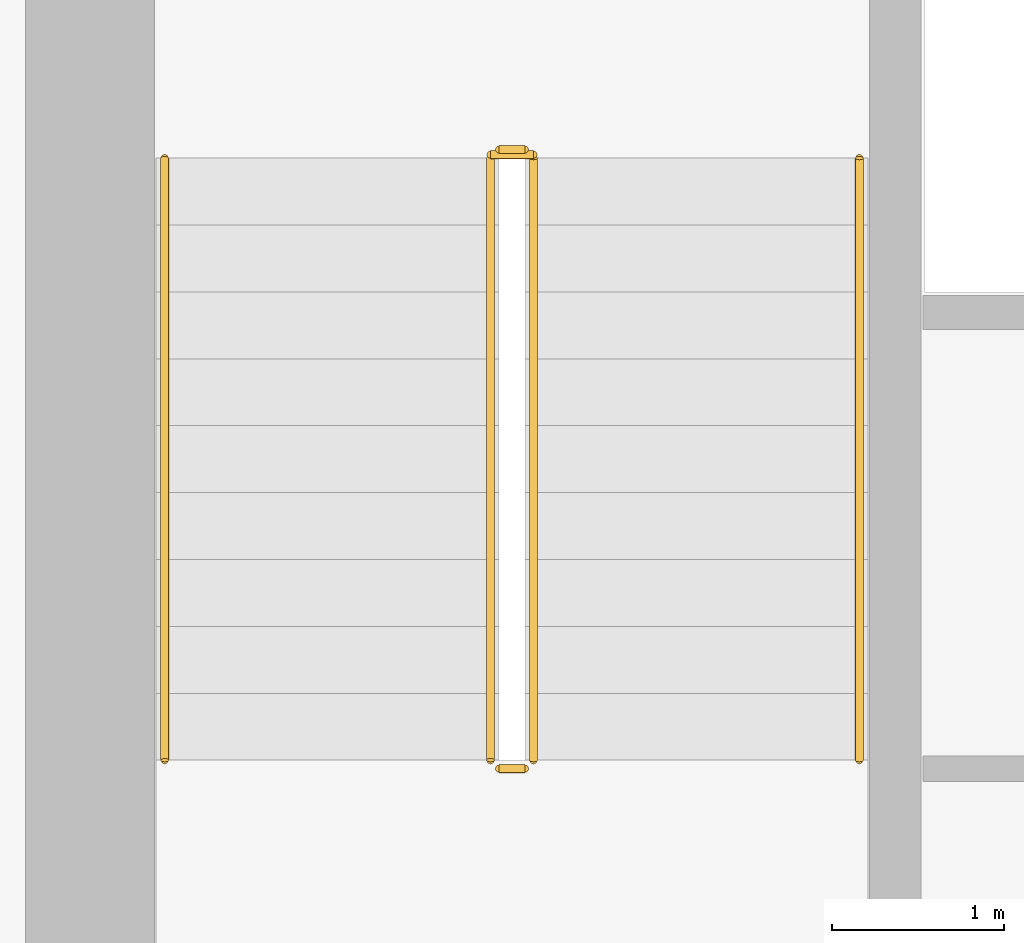
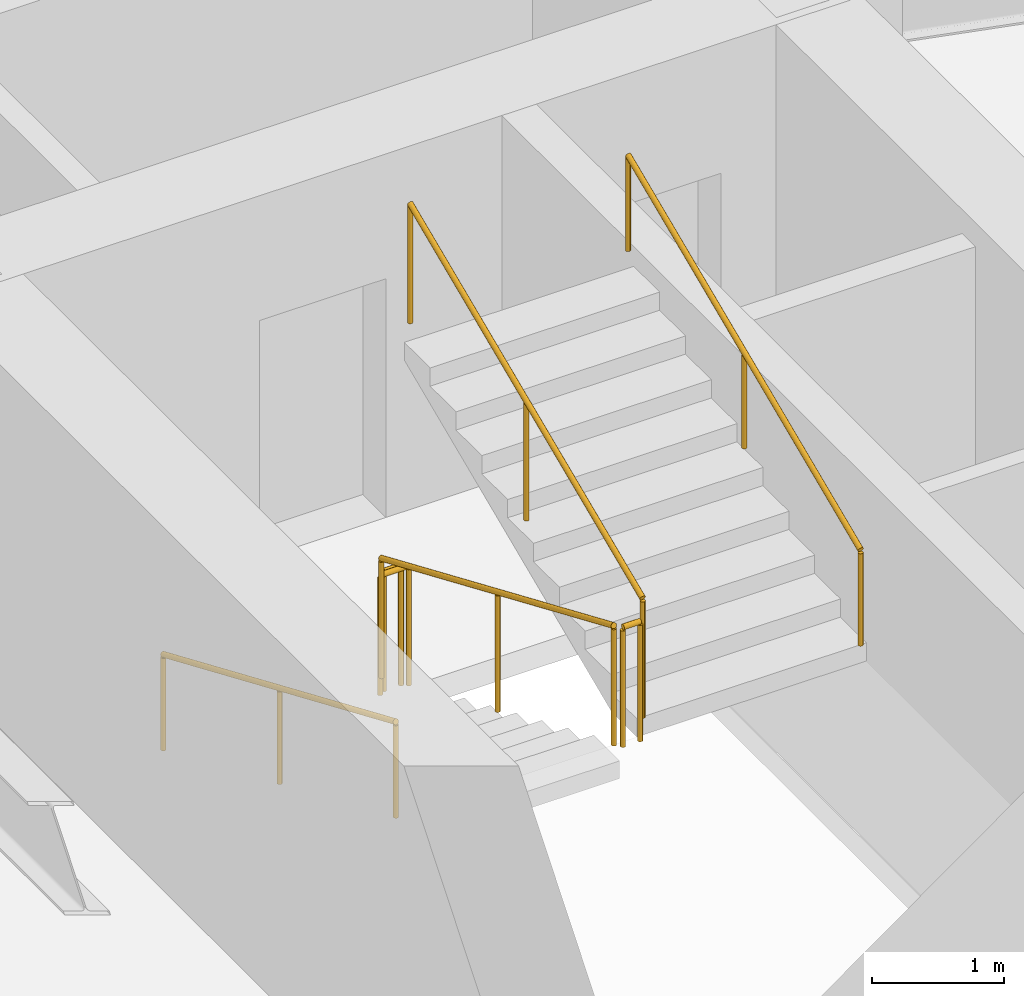
# One storey, part 30 of 33: 7 railings.
"""IFC4 building model written with IfcOpenShell, lengths in metres."""

from ifc_helpers import new_model, si_unit, direction, frame, origin, origin_2d, place, context, subcontext, project, spatial, circle, extrude, material, layer, layer_set, type_object, element, save


model = new_model("IFC4")

# Units and contexts
model_context = context("Model", 3, precision=1e-05, world=origin(), true_north=direction((0.0, 1.0)))
body_context = subcontext(model_context, "Body", "Model", "MODEL_VIEW")
ifc_project = project(units=[si_unit("LENGTHUNIT", "METRE"), si_unit("AREAUNIT", "SQUARE_METRE"), si_unit("VOLUMEUNIT", "CUBIC_METRE"), si_unit("PLANEANGLEUNIT", "RADIAN"), si_unit("MASSUNIT", "GRAM", prefix="KILO")], contexts=[model_context])

# Site, building, storey
site_placement = place(None, origin())
site = spatial("IfcSite", under=ifc_project, at=site_placement, CompositionType="ELEMENT")
building_placement = place(site_placement, origin())
building = spatial("IfcBuilding", under=site, at=building_placement, Name="Hatsunagi Terrace Concourse", CompositionType="ELEMENT")
storey_placement = place(building_placement, frame((0.0, 0.0, 43.300048828125)))
storey = spatial("IfcBuildingStorey", under=building, at=storey_placement, Name="L10", CompositionType="ELEMENT", Elevation=43.300048828125)

# Railings
ifc_material_1 = material(Name="Stainless steel", Category="steel")
ifc_layer_1 = layer(ifc_material_1, 0.044921875)
ifc_layer_set_1 = layer_set([ifc_layer_1], Name="StairPitchHandrail_Tower2000")
railing_type_1 = type_object("IfcRailingType", Name="StairPitchHandrail_Tower2000", PredefinedType="HANDRAIL", material=ifc_layer_set_1)
railing_1_placement = place(storey_placement, frame((36.550048828125, 32.659912109375, 0.16748046875)))
element("IfcRailing", 1, at=railing_1_placement, inside=storey, type_object=railing_type_1, Name="L10 ST-B stair handrail 1", PredefinedType="HANDRAIL", context=body_context, shape_type="SweptSolid", body=[
    extrude(circle(Radius=0.02392578125, at=origin_2d()), frame((0.0, 0.0, 0.8759765625), z_axis=(0.0, -0.918834009242, 0.394644223904), x_axis=(1.0, 0.0, 0.0)), (0.0, 0.0, 1.0), 3.820068359375),
    extrude(circle(Radius=0.02099609375, at=origin_2d()), origin(), (0.0, 0.0, 1.0), 0.851806640625),
    extrude(circle(Radius=0.02099609375, at=origin_2d()), frame((0.0, -1.7548828125, 0.75390625)), (0.0, 0.0, 1.0), 0.851806640625),
    extrude(circle(Radius=0.02099609375, at=origin_2d()), frame((0.0, -3.510009765625, 1.507568359375)), (0.0, 0.0, 1.0), 0.851806640625),
])
railing_2_placement = place(storey_placement, frame((40.60009765625, 29.14990234375, 1.842529296875)))
element("IfcRailing", 2, at=railing_2_placement, inside=storey, type_object=railing_type_1, Name="L10 ST-B stair handrail 2", PredefinedType="HANDRAIL", context=body_context, shape_type="SweptSolid", body=[
    extrude(circle(Radius=0.02392578125, at=origin_2d()), frame((0.0, 0.0, 0.8759765625), z_axis=(0.0, 0.918857182807, 0.394590265469), x_axis=(-1.0, 0.0, 0.0)), (0.0, 0.0, 1.0), 3.820068359375),
    extrude(circle(Radius=0.02099609375, at=origin_2d()), origin(), (0.0, 0.0, 1.0), 0.851806640625),
    extrude(circle(Radius=0.02099609375, at=origin_2d()), frame((0.0, 1.7548828125, 0.753662109375)), (0.0, 0.0, 1.0), 0.851806640625),
    extrude(circle(Radius=0.02099609375, at=origin_2d()), frame((0.0, 3.510009765625, 1.50732421875)), (0.0, 0.0, 1.0), 0.851806640625),
])
ifc_material_2 = material(Name="Stainless steel", Category="steel")
ifc_layer_2 = layer(ifc_material_2, 0.06005859375)
ifc_layer_set_2 = layer_set([ifc_layer_2], Name="StairWellGuard_Tower2000")
railing_type_2 = type_object("IfcRailingType", Name="StairWellGuard_Tower2000", PredefinedType="BALUSTRADE", material=ifc_layer_set_2)
railing_3_placement = place(storey_placement, frame((38.449951171875, 32.659912109375, 0.16748046875)))
element("IfcRailing", 3, at=railing_3_placement, inside=storey, type_object=railing_type_2, Name="L10 ST-B stair guard 1", PredefinedType="BALUSTRADE", context=body_context, shape_type="SweptSolid", body=[
    extrude(circle(Radius=0.02392578125, at=origin_2d()), frame((0.0, 0.0, 1.09619140625), z_axis=(0.0, -0.918834009242, 0.394644223904), x_axis=(1.0, 0.0, 0.0)), (0.0, 0.0, 1.0), 3.820068359375),
    extrude(circle(Radius=0.02099609375, at=origin_2d()), origin(), (0.0, 0.0, 1.0), 1.072021484375),
    extrude(circle(Radius=0.02099609375, at=origin_2d()), frame((0.0, -1.7548828125, 0.75390625)), (0.0, 0.0, 1.0), 1.072021484375),
    extrude(circle(Radius=0.02099609375, at=origin_2d()), frame((0.0, -3.510009765625, 1.507568359375)), (0.0, 0.0, 1.0), 1.072021484375),
])
railing_4_placement = place(storey_placement, frame((38.5, 29.10009765625, 1.675048828125)))
element("IfcRailing", 4, at=railing_4_placement, inside=storey, type_object=railing_type_2, Name="L10 ST-B stair guard 2", PredefinedType="BALUSTRADE", context=body_context, shape_type="SweptSolid", body=[
    extrude(circle(Radius=0.02392578125, at=origin_2d()), frame((0.0, 0.0, 1.09619140625), z_axis=(1.0, 0.0, 0.0), x_axis=(0.0, 1.0, 0.0)), (0.0, 0.0, 1.0), 0.14990234375),
    extrude(circle(Radius=0.02099609375, at=origin_2d()), origin(), (0.0, 0.0, 1.0), 1.072021484375),
    extrude(circle(Radius=0.02099609375, at=origin_2d()), frame((0.14990234375, 0.0, 0.0)), (0.0, 0.0, 1.0), 1.072021484375),
])
railing_5_placement = place(storey_placement, frame((38.699951171875, 29.14990234375, 1.842529296875)))
element("IfcRailing", 5, at=railing_5_placement, inside=storey, type_object=railing_type_2, Name="L10 ST-B stair guard 3", PredefinedType="BALUSTRADE", context=body_context, shape_type="SweptSolid", body=[
    extrude(circle(Radius=0.02392578125, at=origin_2d()), frame((0.0, 0.0, 1.09619140625), z_axis=(0.0, 0.918857182807, 0.394590265469), x_axis=(-1.0, 0.0, 0.0)), (0.0, 0.0, 1.0), 3.820068359375),
    extrude(circle(Radius=0.02099609375, at=origin_2d()), origin(), (0.0, 0.0, 1.0), 1.072021484375),
    extrude(circle(Radius=0.02099609375, at=origin_2d()), frame((0.0, 1.7548828125, 0.753662109375)), (0.0, 0.0, 1.0), 1.072021484375),
    extrude(circle(Radius=0.02099609375, at=origin_2d()), frame((0.0, 3.510009765625, 1.50732421875)), (0.0, 0.0, 1.0), 1.072021484375),
])
railing_6_placement = place(storey_placement, frame((38.5, 32.7099609375, 0.0)))
element("IfcRailing", 6, at=railing_6_placement, inside=storey, type_object=railing_type_2, Name="L10 ST-B stair guard 4", PredefinedType="BALUSTRADE", context=body_context, shape_type="SweptSolid", body=[
    extrude(circle(Radius=0.02392578125, at=origin_2d()), frame((0.0, 0.0, 1.09619140625), z_axis=(1.0, 0.0, 0.0), x_axis=(0.0, 1.0, 0.0)), (0.0, 0.0, 1.0), 0.14990234375),
    extrude(circle(Radius=0.02099609375, at=origin_2d()), origin(), (0.0, 0.0, 1.0), 1.072021484375),
    extrude(circle(Radius=0.02099609375, at=origin_2d()), frame((0.14990234375, 0.0, 0.0)), (0.0, 0.0, 1.0), 1.072021484375),
])
ifc_material_3 = material(Name="Stainless Steel SUS316 Post-and-Rail Guard", Category="steel")
ifc_layer_3 = layer(ifc_material_3, 0.080078125)
ifc_layer_set_3 = layer_set([ifc_layer_3], Name="TerracePlantedGuardRail_1200")
railing_type_3 = type_object("IfcRailingType", Name="TerracePlantedGuardRail_1200", PredefinedType="GUARDRAIL", material=ifc_layer_set_3)
railing_7_placement = place(storey_placement, frame((38.449951171875, 32.679931640625, 0.0)))
element("IfcRailing", 7, at=railing_7_placement, inside=storey, type_object=railing_type_3, Name="Stair ST-B Well Closure Guard L10", PredefinedType="GUARDRAIL", context=body_context, shape_type="SweptSolid", body=[
    extrude(circle(Radius=0.02392578125, at=origin_2d()), frame((0.0, 0.0, 1.09619140625), z_axis=(1.0, 0.0, 0.0), x_axis=(0.0, 1.0, 0.0)), (0.0, 0.0, 1.0), 0.25),
    extrude(circle(Radius=0.02099609375, at=origin_2d()), origin(), (0.0, 0.0, 1.0), 1.072021484375),
    extrude(circle(Radius=0.02099609375, at=origin_2d()), frame((0.25, 0.0, 0.0)), (0.0, 0.0, 1.0), 1.072021484375),
])

save(model, "model.ifc")
